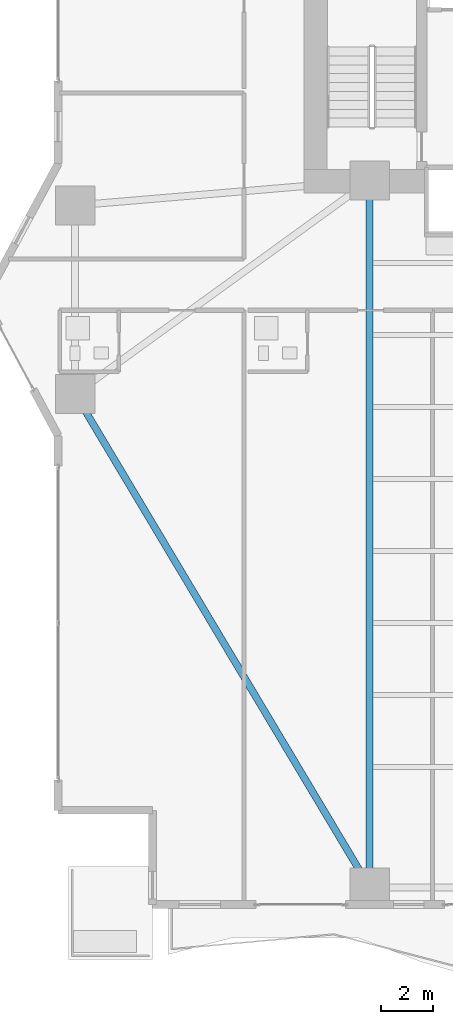
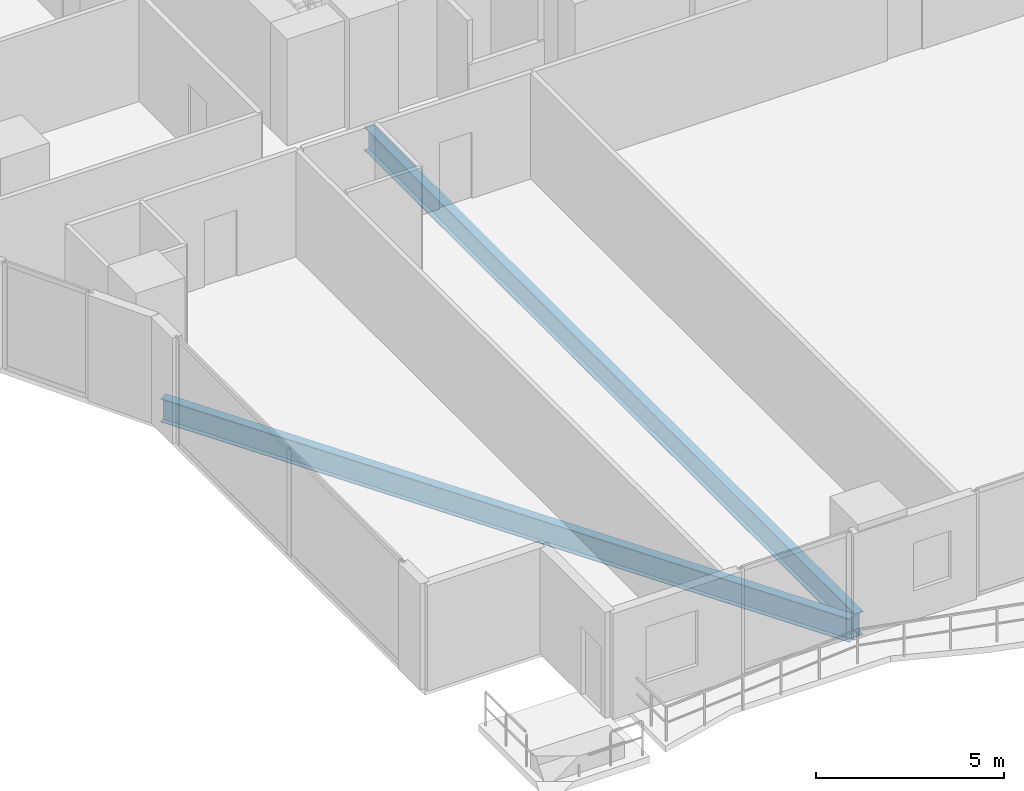
# One storey, part 3 of 28: 2 beams.
"""IFC4 building model written with IfcOpenShell, lengths in metres."""

from ifc_helpers import new_model, si_unit, direction, frame, origin, origin_2d, place, context, subcontext, project, spatial, i_section, extrude, material, material_profile, profile_set, type_object, element, save


model = new_model("IFC4")

# Units and contexts
model_context = context("Model", 3, precision=1e-05, world=origin(), true_north=direction((0.0, 1.0)))
body_context = subcontext(model_context, "Body", "Model", "MODEL_VIEW")
ifc_project = project(units=[si_unit("LENGTHUNIT", "METRE"), si_unit("AREAUNIT", "SQUARE_METRE"), si_unit("VOLUMEUNIT", "CUBIC_METRE"), si_unit("PLANEANGLEUNIT", "RADIAN"), si_unit("MASSUNIT", "GRAM", prefix="KILO")], contexts=[model_context])

# Site, building, storey
site_placement = place(None, origin())
site = spatial("IfcSite", under=ifc_project, at=site_placement, CompositionType="ELEMENT")
building_placement = place(site_placement, origin())
building = spatial("IfcBuilding", under=site, at=building_placement, Name="Zuhayl Quay Hotel", CompositionType="ELEMENT")
storey_placement = place(building_placement, frame((0.0, 0.0, 78.699951171875)))
storey = spatial("IfcBuildingStorey", under=building, at=storey_placement, Name="L19", CompositionType="ELEMENT", Elevation=78.699951171875)

# Beams
ifc_material = material(Name="Steel ASTM A992 Grade 50", Category="steel")
ifc_material_profile = material_profile(ifc_material, i_section(OverallWidth=0.26708984375, OverallDepth=0.761962890625, WebThickness=0.014404296875, FlangeThickness=0.021484375, at=origin_2d()), Name="W30X116")
ifc_profile_set = profile_set([ifc_material_profile], Name="Steel ASTM A992 Grade 50")
beam_type = type_object("IfcBeamType", Name="BM_B1_W30X116", PredefinedType="BEAM", material=ifc_profile_set)
beam_1_placement = place(storey_placement, frame((-24.793701171875, -4.029296875, -0.600830078125), z_axis=(0.512482593247, -0.85869761361, 0.0), x_axis=(0.85869761361, 0.512482593247, 0.0)))
element("IfcBeam", 1, at=beam_1_placement, inside=storey, type_object=beam_type, Name="L19 Floor Beam RG_L19_12", PredefinedType="BEAM", context=body_context, shape_type="SweptSolid", body=[
    extrude(i_section(OverallWidth=0.26708984375, OverallDepth=0.761962890625, WebThickness=0.014404296875, FlangeThickness=0.021484375, at=origin_2d()), origin(), (0.0, 0.0, 1.0), 20.9521484375),
])
beam_2_placement = place(storey_placement, frame((-13.800048828125, -21.949951171875, -0.600830078125), z_axis=(0.0, 1.0, 0.0), x_axis=(-1.0, 0.0, 0.0)))
element("IfcBeam", 2, at=beam_2_placement, inside=storey, type_object=beam_type, Name="L19 Floor Beam FG_S_L19_1", PredefinedType="BEAM", context=body_context, shape_type="SweptSolid", body=[
    extrude(i_section(OverallWidth=0.26708984375, OverallDepth=0.761962890625, WebThickness=0.014404296875, FlangeThickness=0.021484375, at=origin_2d()), origin(), (0.0, 0.0, 1.0), 26.050048828125),
])

save(model, "model.ifc")
